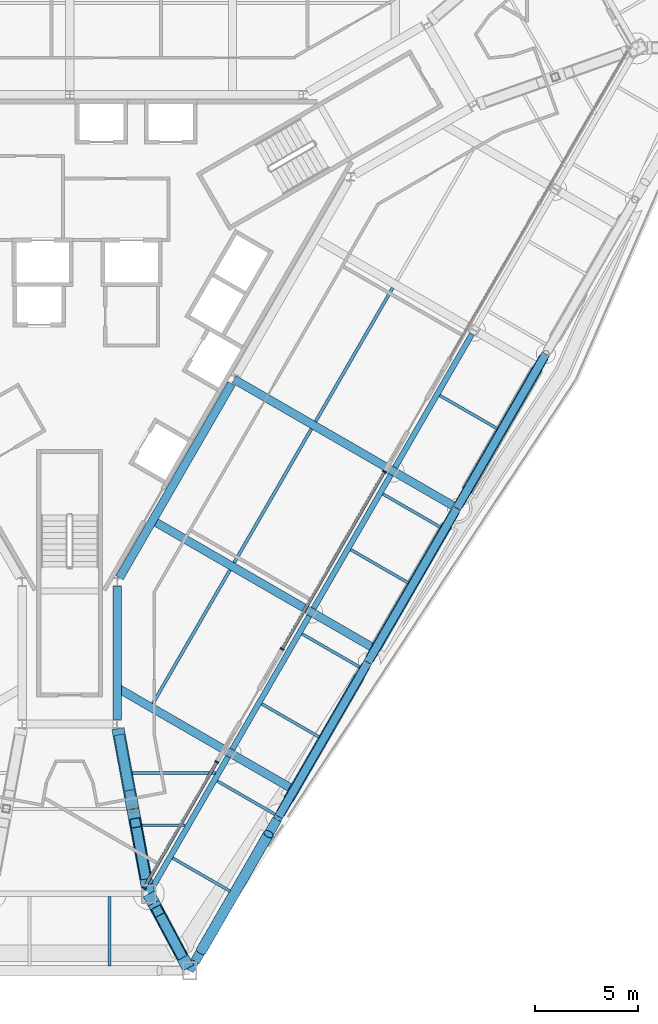
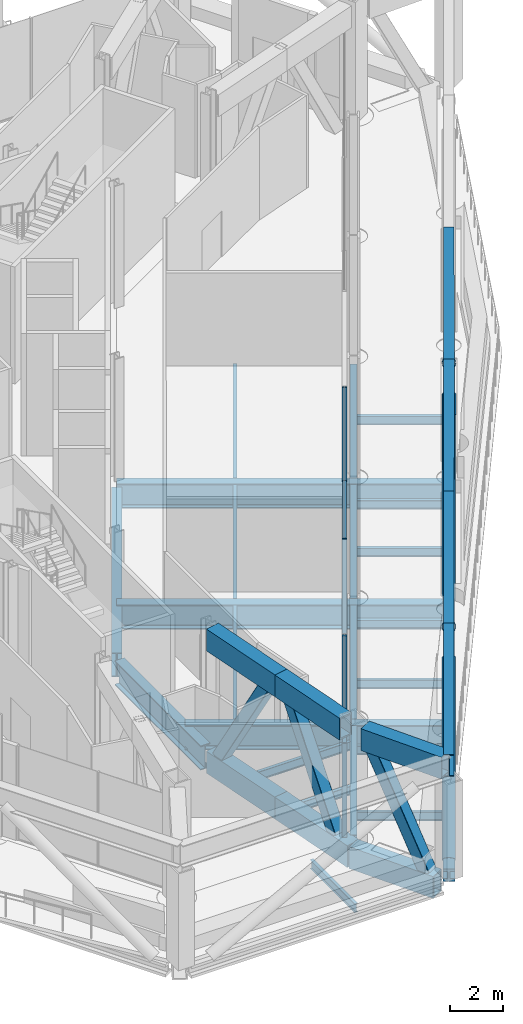
# One storey, part 8 of 26: 36 beams, 13 members, 2 elements without a shape of their own.
"""IFC4 building model written with IfcOpenShell, lengths in metres."""

from ifc_helpers import new_model, si_unit, direction, frame, origin, origin_2d, place, context, subcontext, project, spatial, rectangle, hollow_rectangle, hollow_circle, i_section, extrude, material, material_profile, profile_set, type_object, element, aggregate, save


model = new_model("IFC4")

# Units and contexts
model_context = context("Model", 3, precision=1e-05, world=origin(), true_north=direction((0.0, 1.0)))
body_context = subcontext(model_context, "Body", "Model", "MODEL_VIEW")
ifc_project = project(units=[si_unit("LENGTHUNIT", "METRE"), si_unit("AREAUNIT", "SQUARE_METRE"), si_unit("VOLUMEUNIT", "CUBIC_METRE"), si_unit("PLANEANGLEUNIT", "RADIAN"), si_unit("MASSUNIT", "GRAM", prefix="KILO")], contexts=[model_context])

# Site, building, storey
site_placement = place(None, origin())
site = spatial("IfcSite", under=ifc_project, at=site_placement, CompositionType="ELEMENT")
building_placement = place(site_placement, origin())
building = spatial("IfcBuilding", under=site, at=building_placement, Name="Verrane Prism Tower", CompositionType="ELEMENT")
storey_placement = place(building_placement, frame((0.0, 0.0, 87.199951171875)))
storey = spatial("IfcBuildingStorey", under=building, at=storey_placement, Name="L20", CompositionType="ELEMENT", Elevation=87.199951171875)

# Beams
ifc_material_1 = material(Name="Steel A992", Category="steel")
ifc_material_profile_1 = material_profile(ifc_material_1, i_section(OverallWidth=0.45458984375, OverallDepth=0.56884765625, WebThickness=0.077880859375, FlangeThickness=0.124755859375, FilletRadius=0.01513671875, at=origin_2d()), Name="W14x730")
ifc_profile_set_1 = profile_set([ifc_material_profile_1], Name="Steel A992")
beam_type_1 = type_object("IfcBeamType", Name="Belt truss chord W14x730", PredefinedType="BEAM", material=ifc_profile_set_1)
beam_1_placement = place(storey_placement, frame((6.07958984375, -32.81005859375, -0.445556640625), z_axis=(0.499769466734, 0.866158461322, 0.0), x_axis=(-0.866158461322, 0.499769466734, 0.0)))
element("IfcBeam", 1, at=beam_1_placement, inside=storey, type_object=beam_type_1, Name="Belt truss chord L20", PredefinedType="BEAM", context=body_context, shape_type="SweptSolid", body=[
    extrude(i_section(OverallWidth=0.45458984375, OverallDepth=0.56884765625, WebThickness=0.077880859375, FlangeThickness=0.124755859375, FilletRadius=0.01513671875, at=origin_2d()), origin(), (0.0, 0.0, 1.0), 7.942138671875),
])
beam_2_placement = place(storey_placement, frame((10.211181640625, -25.649169921875, -0.445556640625), z_axis=(0.500128352211, 0.865951286918, 0.0), x_axis=(-0.865951286918, 0.500128352211, 0.0)))
element("IfcBeam", 2, at=beam_2_placement, inside=storey, type_object=beam_type_1, Name="Belt truss chord L20", PredefinedType="BEAM", context=body_context, shape_type="SweptSolid", body=[
    extrude(i_section(OverallWidth=0.45458984375, OverallDepth=0.56884765625, WebThickness=0.077880859375, FlangeThickness=0.124755859375, FilletRadius=0.01513671875, at=origin_2d()), origin(), (0.0, 0.0, 1.0), 8.312744140625),
])
beam_3_placement = place(storey_placement, frame((14.531494140625, -18.169189453125, -0.445556640625), z_axis=(0.500628270496, 0.865662367658, 0.0), x_axis=(-0.865662367658, 0.500628270496, 0.0)))
element("IfcBeam", 3, at=beam_3_placement, inside=storey, type_object=beam_type_1, Name="Belt truss chord L20", PredefinedType="BEAM", context=body_context, shape_type="SweptSolid", body=[
    extrude(i_section(OverallWidth=0.45458984375, OverallDepth=0.56884765625, WebThickness=0.077880859375, FlangeThickness=0.124755859375, FilletRadius=0.01513671875, at=origin_2d()), origin(), (0.0, 0.0, 1.0), 8.303955078125),
])
beam_4_placement = place(storey_placement, frame((18.851318359375, -10.69921875, -0.445556640625), z_axis=(0.499237299608, 0.866465301486, 0.0), x_axis=(-0.866465301486, 0.499237299608, 0.0)))
element("IfcBeam", 4, at=beam_4_placement, inside=storey, type_object=beam_type_1, Name="Belt truss chord L20", PredefinedType="BEAM", context=body_context, shape_type="SweptSolid", body=[
    extrude(i_section(OverallWidth=0.45458984375, OverallDepth=0.56884765625, WebThickness=0.077880859375, FlangeThickness=0.124755859375, FilletRadius=0.01513671875, at=origin_2d()), origin(), (0.0, 0.0, 1.0), 8.3076171875),
])
ifc_material_2 = material(Name="Steel A992", Category="steel")
ifc_material_profile_2 = material_profile(ifc_material_2, i_section(OverallWidth=0.4013671875, OverallDepth=1.000732421875, WebThickness=0.01904296875, FlangeThickness=0.0361328125, FilletRadius=0.030029296875, at=origin_2d()), Name="W40x249")
ifc_profile_set_2 = profile_set([ifc_material_profile_2], Name="Steel A992")
beam_type_2 = type_object("IfcBeamType", Name="Belt truss chord W40x249", PredefinedType="BEAM", material=ifc_profile_set_2)
beam_5_placement = place(storey_placement, frame((5.820068359375, -33.260009765625, 4.939697265625), z_axis=(0.499741242346, 0.866174746052, 0.0), x_axis=(-0.866174746052, 0.499741242346, 0.0)))
element("IfcBeam", 5, at=beam_5_placement, inside=storey, type_object=beam_type_2, Name="Belt truss chord L20", PredefinedType="BEAM", context=body_context, shape_type="SweptSolid", body=[
    extrude(i_section(OverallWidth=0.4013671875, OverallDepth=1.000732421875, WebThickness=0.01904296875, FlangeThickness=0.0361328125, FilletRadius=0.030029296875, at=origin_2d()), origin(), (0.0, 0.0, 1.0), 8.6240234375),
])
beam_6_placement = place(storey_placement, frame((10.1298828125, -25.7900390625, 4.939697265625), z_axis=(0.500130201725, 0.865950218732, 0.0), x_axis=(-0.865950218732, 0.500130201725, 0.0)))
element("IfcBeam", 6, at=beam_6_placement, inside=storey, type_object=beam_type_2, Name="Belt truss chord L20", PredefinedType="BEAM", context=body_context, shape_type="SweptSolid", body=[
    extrude(i_section(OverallWidth=0.4013671875, OverallDepth=1.000732421875, WebThickness=0.01904296875, FlangeThickness=0.0361328125, FilletRadius=0.030029296875, at=origin_2d()), origin(), (0.0, 0.0, 1.0), 8.637939453125),
])
beam_7_placement = place(storey_placement, frame((14.449951171875, -18.31005859375, 4.939697265625), z_axis=(0.500632492922, 0.865659925739, 0.0), x_axis=(-0.865659925739, 0.500632492922, 0.0)))
element("IfcBeam", 7, at=beam_7_placement, inside=storey, type_object=beam_type_2, Name="Belt truss chord L20", PredefinedType="BEAM", context=body_context, shape_type="SweptSolid", body=[
    extrude(i_section(OverallWidth=0.4013671875, OverallDepth=1.000732421875, WebThickness=0.01904296875, FlangeThickness=0.0361328125, FilletRadius=0.030029296875, at=origin_2d()), origin(), (0.0, 0.0, 1.0), 8.629150390625),
])
beam_8_placement = place(storey_placement, frame((18.77001953125, -10.840087890625, 4.939697265625), z_axis=(0.499260481273, 0.866451944333, 0.0), x_axis=(-0.866451944333, 0.499260481273, 0.0)))
element("IfcBeam", 8, at=beam_8_placement, inside=storey, type_object=beam_type_2, Name="Belt truss chord L20", PredefinedType="BEAM", context=body_context, shape_type="SweptSolid", body=[
    extrude(i_section(OverallWidth=0.4013671875, OverallDepth=1.000732421875, WebThickness=0.01904296875, FlangeThickness=0.0361328125, FilletRadius=0.030029296875, at=origin_2d()), origin(), (0.0, 0.0, 1.0), 8.6328125),
])

# Members
ifc_material_3 = material(Name="Steel A500 Grade C", Category="steel")
ifc_material_profile_3 = material_profile(ifc_material_3, hollow_circle(Radius=0.25390625, WallThickness=0.0126953125, at=origin_2d()), Name="HSS20.000x0.500")
ifc_profile_set_3 = profile_set([ifc_material_profile_3], Name="Steel A500 Grade C")
member_type_1 = type_object("IfcMemberType", Name="Belt truss diagonal HSS20.000x0.500", PredefinedType="BRACE", material=ifc_profile_set_3)
member_1_placement = place(storey_placement, frame((6.37890625, -32.29150390625, -0.160888671875), z_axis=(0.405277647184, 0.70243475166, 0.585094392687), x_axis=(-0.866171265767, 0.499747274489, 0.0)))
element("IfcMember", 9, at=member_1_placement, inside=storey, type_object=member_type_1, Name="Belt truss diagonal L20", PredefinedType="BRACE", context=body_context, shape_type="SweptSolid", body=[
    extrude(hollow_circle(Radius=0.25390625, WallThickness=0.0126953125, at=origin_2d()), origin(), (0.0, 0.0, 1.0), 8.0498046875),
])
member_2_placement = place(storey_placement, frame((14.026611328125, -19.043212890625, -0.160888671875), z_axis=(-0.410981497335, -0.711574303838, 0.569873862329), x_axis=(0.865944304384, -0.500140441981, 0.0)))
element("IfcMember", 10, at=member_2_placement, inside=storey, type_object=member_type_1, Name="Belt truss diagonal L20", PredefinedType="BRACE", context=body_context, shape_type="SweptSolid", body=[
    extrude(hollow_circle(Radius=0.25390625, WallThickness=0.0126953125, at=origin_2d()), origin(), (0.0, 0.0, 1.0), 8.264892578125),
])
member_3_placement = place(storey_placement, frame((14.873779296875, -17.577392578125, -0.160888671875), z_axis=(0.41123483946, 0.711080643258, 0.570307132691), x_axis=(-0.865660263695, 0.50063190855, 0.0)))
element("IfcMember", 11, at=member_3_placement, inside=storey, type_object=member_type_1, Name="Belt truss diagonal L20", PredefinedType="BRACE", context=body_context, shape_type="SweptSolid", body=[
    extrude(hollow_circle(Radius=0.25390625, WallThickness=0.0126953125, at=origin_2d()), origin(), (0.0, 0.0, 1.0), 8.258544921875),
])
member_4_placement = place(storey_placement, frame((22.657470703125, -4.093505859375, -0.160888671875), z_axis=(-0.41018811742, -0.711830056506, 0.570126020264), x_axis=(0.866439987411, -0.499281231588, 0.0)))
element("IfcMember", 12, at=member_4_placement, inside=storey, type_object=member_type_1, Name="Belt truss diagonal L20", PredefinedType="BRACE", context=body_context, shape_type="SweptSolid", body=[
    extrude(hollow_circle(Radius=0.25390625, WallThickness=0.0126953125, at=origin_2d()), origin(), (0.0, 0.0, 1.0), 8.26123046875),
])

# Beams
ifc_material_4 = material(Name="Steel A992", Category="steel")
ifc_material_profile_4 = material_profile(ifc_material_4, i_section(OverallWidth=0.140380859375, OverallDepth=0.40380859375, WebThickness=0.007080078125, FlangeThickness=0.01123046875, FilletRadius=0.01025390625, at=origin_2d()), Name="W16x31")
ifc_profile_set_4 = profile_set([ifc_material_profile_4], Name="Steel A992")
beam_type_3 = type_object("IfcBeamType", Name="Floor beam W16x31", PredefinedType="BEAM", material=ifc_profile_set_4)
beam_9_placement = place(storey_placement, frame((20.728515625, -6.985595703125, -0.36181640625), z_axis=(-0.866024054344, 0.500002337291, 0.0), x_axis=(-0.500002337291, -0.866024054344, 0.0)))
element("IfcBeam", 13, at=beam_9_placement, inside=storey, type_object=beam_type_3, Name="Floor beam L20", PredefinedType="BEAM", context=body_context, shape_type="SweptSolid", body=[
    extrude(i_section(OverallWidth=0.140380859375, OverallDepth=0.40380859375, WebThickness=0.007080078125, FlangeThickness=0.01123046875, FilletRadius=0.01025390625, at=origin_2d()), origin(), (0.0, 0.0, 1.0), 3.2216796875),
])
beam_10_placement = place(storey_placement, frame((17.97314453125, -11.763427734375, -0.36181640625), z_axis=(-0.866053139749, 0.499951956822, 0.0), x_axis=(-0.499951956822, -0.866053139749, 0.0)))
element("IfcBeam", 14, at=beam_10_placement, inside=storey, type_object=beam_type_3, Name="Floor beam L20", PredefinedType="BEAM", context=body_context, shape_type="SweptSolid", body=[
    extrude(i_section(OverallWidth=0.140380859375, OverallDepth=0.40380859375, WebThickness=0.007080078125, FlangeThickness=0.01123046875, FilletRadius=0.01025390625, at=origin_2d()), origin(), (0.0, 0.0, 1.0), 3.222900390625),
])
beam_11_placement = place(storey_placement, frame((16.413330078125, -14.46044921875, -0.36181640625), z_axis=(-0.86603284879, 0.49998710465, 0.0), x_axis=(-0.49998710465, -0.86603284879, 0.0)))
element("IfcBeam", 15, at=beam_11_placement, inside=storey, type_object=beam_type_3, Name="Floor beam L20", PredefinedType="BEAM", context=body_context, shape_type="SweptSolid", body=[
    extrude(i_section(OverallWidth=0.140380859375, OverallDepth=0.40380859375, WebThickness=0.007080078125, FlangeThickness=0.01123046875, FilletRadius=0.01025390625, at=origin_2d()), origin(), (0.0, 0.0, 1.0), 3.220703125),
])
beam_12_placement = place(storey_placement, frame((14.052978515625, -18.54248046875, -0.36181640625), z_axis=(-0.866021328928, 0.500007057792, 0.0), x_axis=(-0.500007057792, -0.866021328928, 0.0)))
element("IfcBeam", 16, at=beam_12_placement, inside=storey, type_object=beam_type_3, Name="Floor beam L20", PredefinedType="BEAM", context=body_context, shape_type="SweptSolid", body=[
    extrude(i_section(OverallWidth=0.140380859375, OverallDepth=0.40380859375, WebThickness=0.007080078125, FlangeThickness=0.01123046875, FilletRadius=0.01025390625, at=origin_2d()), origin(), (0.0, 0.0, 1.0), 3.2177734375),
])
beam_13_placement = place(storey_placement, frame((12.0947265625, -21.933349609375, -0.36181640625), z_axis=(-0.866019963708, 0.500009422371, 0.0), x_axis=(-0.500009422371, -0.866019963708, 0.0)))
element("IfcBeam", 17, at=beam_13_placement, inside=storey, type_object=beam_type_3, Name="Floor beam L20", PredefinedType="BEAM", context=body_context, shape_type="SweptSolid", body=[
    extrude(i_section(OverallWidth=0.140380859375, OverallDepth=0.40380859375, WebThickness=0.007080078125, FlangeThickness=0.01123046875, FilletRadius=0.01025390625, at=origin_2d()), origin(), (0.0, 0.0, 1.0), 3.2158203125),
])
beam_14_placement = place(storey_placement, frame((9.959716796875, -25.683837890625, -0.36181640625), z_axis=(-0.866028841934, 0.499994044904, 0.0), x_axis=(-0.499994044904, -0.866028841934, 0.0)))
element("IfcBeam", 18, at=beam_14_placement, inside=storey, type_object=beam_type_3, Name="Floor beam L20", PredefinedType="BEAM", context=body_context, shape_type="SweptSolid", body=[
    extrude(i_section(OverallWidth=0.140380859375, OverallDepth=0.40380859375, WebThickness=0.007080078125, FlangeThickness=0.01123046875, FilletRadius=0.01025390625, at=origin_2d()), origin(), (0.0, 0.0, 1.0), 3.2421875),
])
beam_15_placement = place(storey_placement, frame((7.77978515625, -29.408203125, -0.36181640625), z_axis=(-0.866055526205, 0.499947822806, 0.0), x_axis=(-0.499947822806, -0.866055526205, 0.0)))
element("IfcBeam", 19, at=beam_15_placement, inside=storey, type_object=beam_type_3, Name="Floor beam L20", PredefinedType="BEAM", context=body_context, shape_type="SweptSolid", body=[
    extrude(i_section(OverallWidth=0.140380859375, OverallDepth=0.40380859375, WebThickness=0.007080078125, FlangeThickness=0.01123046875, FilletRadius=0.01025390625, at=origin_2d()), origin(), (0.0, 0.0, 1.0), 3.219482421875),
])
beam_16_placement = place(storey_placement, frame((3.516845703125, -26.2099609375, -0.36181640625), z_axis=(1.0, 0.0, 0.0), x_axis=(0.0, 1.0, 0.0)))
element("IfcBeam", 20, at=beam_16_placement, inside=storey, type_object=beam_type_3, Name="Floor beam L20", PredefinedType="BEAM", context=body_context, shape_type="SweptSolid", body=[
    extrude(i_section(OverallWidth=0.140380859375, OverallDepth=0.40380859375, WebThickness=0.007080078125, FlangeThickness=0.01123046875, FilletRadius=0.01025390625, at=origin_2d()), origin(), (0.0, 0.0, 1.0), 2.084716796875),
])
beam_17_placement = place(storey_placement, frame((3.047119140625, -23.679931640625, -0.36181640625), z_axis=(1.0, 0.0, 0.0), x_axis=(0.0, 1.0, 0.0)))
element("IfcBeam", 21, at=beam_17_placement, inside=storey, type_object=beam_type_3, Name="Floor beam L20", PredefinedType="BEAM", context=body_context, shape_type="SweptSolid", body=[
    extrude(i_section(OverallWidth=0.140380859375, OverallDepth=0.40380859375, WebThickness=0.007080078125, FlangeThickness=0.01123046875, FilletRadius=0.01025390625, at=origin_2d()), origin(), (0.0, 0.0, 1.0), 4.017578125),
])
beam_18_placement = place(storey_placement, frame((1.93994140625, -33.032470703125, -0.36181640625), z_axis=(0.0, 1.0, 0.0), x_axis=(-1.0, 0.0, 0.0)))
element("IfcBeam", 22, at=beam_18_placement, inside=storey, type_object=beam_type_3, Name="Floor beam L20", PredefinedType="BEAM", context=body_context, shape_type="SweptSolid", body=[
    extrude(i_section(OverallWidth=0.140380859375, OverallDepth=0.40380859375, WebThickness=0.007080078125, FlangeThickness=0.01123046875, FilletRadius=0.01025390625, at=origin_2d()), origin(), (0.0, 0.0, 1.0), 3.35888671875),
])
ifc_material_5 = material(Name="Steel A992", Category="steel")
ifc_material_profile_5 = material_profile(ifc_material_5, i_section(OverallWidth=0.15234375, OverallDepth=0.449462890625, WebThickness=0.007568359375, FlangeThickness=0.0107421875, FilletRadius=0.01025390625, at=origin_2d()), Name="W18x35")
ifc_profile_set_5 = profile_set([ifc_material_profile_5], Name="Steel A992")
beam_type_4 = type_object("IfcBeamType", Name="Floor beam W18x35", PredefinedType="BEAM", material=ifc_profile_set_5)
beam_19_placement = place(storey_placement, frame((4.02978515625, -20.314208984375, -0.384765625), z_axis=(0.500010604671, 0.866019281088, 0.0), x_axis=(-0.866019281088, 0.500010604671, 0.0)))
element("IfcBeam", 23, at=beam_19_placement, inside=storey, type_object=beam_type_4, Name="Floor beam L20", PredefinedType="BEAM", context=body_context, shape_type="SweptSolid", body=[
    extrude(i_section(OverallWidth=0.15234375, OverallDepth=0.449462890625, WebThickness=0.007568359375, FlangeThickness=0.0107421875, FilletRadius=0.01025390625, at=origin_2d()), origin(), (0.0, 0.0, 1.0), 7.480712890625),
])
beam_20_placement = place(storey_placement, frame((7.97119140625, -13.4853515625, -0.384765625), z_axis=(0.500013821409, 0.866017423843, 0.0), x_axis=(-0.866017423843, 0.500013821409, 0.0)))
element("IfcBeam", 24, at=beam_20_placement, inside=storey, type_object=beam_type_4, Name="Floor beam L20", PredefinedType="BEAM", context=body_context, shape_type="SweptSolid", body=[
    extrude(i_section(OverallWidth=0.15234375, OverallDepth=0.449462890625, WebThickness=0.007568359375, FlangeThickness=0.0107421875, FilletRadius=0.01025390625, at=origin_2d()), origin(), (0.0, 0.0, 1.0), 7.494873046875),
])
beam_21_placement = place(storey_placement, frame((11.91748046875, -6.64306640625, -0.384765625), z_axis=(0.500004786058, 0.866022640535, 0.0), x_axis=(-0.866022640535, 0.500004786058, 0.0)))
element("IfcBeam", 25, at=beam_21_placement, inside=storey, type_object=beam_type_4, Name="Floor beam L20", PredefinedType="BEAM", context=body_context, shape_type="SweptSolid", body=[
    extrude(i_section(OverallWidth=0.15234375, OverallDepth=0.449462890625, WebThickness=0.007568359375, FlangeThickness=0.0107421875, FilletRadius=0.01025390625, at=origin_2d()), origin(), (0.0, 0.0, 1.0), 7.4853515625),
])

# Curtain wall, members
ifc_material_6 = material(Name="Aluminium framed insulated glazing", Category="aluminium")
curtain_wall_type = type_object("IfcCurtainWallType", Name="Curtain wall CW-A 8400 module", PredefinedType="NOTDEFINED", material=ifc_material_6)
curtain_wall_1_placement = place(storey_placement, origin())
curtain_wall_1 = element("IfcCurtainWall", 26, at=curtain_wall_1_placement, inside=storey, type_object=curtain_wall_type, Name="Refuge lounge glazing south-east face L20 1", PredefinedType="NOTDEFINED")
ifc_material_7 = material(Name="Aluminium alloy 6063-T6", Category="aluminium")
ifc_material_profile_6 = material_profile(ifc_material_7, rectangle(XDim=0.199951171875, YDim=0.070068359375, at=origin_2d()), Name="Mullion 70x200 aluminium")
ifc_profile_set_6 = profile_set([ifc_material_profile_6], Name="Aluminium alloy 6063-T6")
member_type_2 = type_object("IfcMemberType", Name="Mullion 70x200 aluminium", PredefinedType="MULLION", material=ifc_profile_set_6)
member_5_placement = place(storey_placement, frame((3.61279296875, -29.244384765625, 0.0), z_axis=(0.0, 0.0, 1.0), x_axis=(-0.86602209093, 0.500005737989, 0.0)))
member_5 = element("IfcMember", 27, at=member_5_placement, type_object=member_type_2, Name="CW20.6.1 mullion 1", PredefinedType="MULLION", context=body_context, shape_type="SweptSolid", body=[
    extrude(rectangle(XDim=0.199951171875, YDim=0.070068359375, at=origin_2d()), origin(), (0.0, 0.0, 1.0), 4.322509765625),
])
member_6_placement = place(storey_placement, frame((7.132568359375, -23.148193359375, 0.0), z_axis=(0.0, 0.0, 1.0), x_axis=(-0.86602209093, 0.500005737989, 0.0)))
member_6 = element("IfcMember", 28, at=member_6_placement, type_object=member_type_2, Name="CW20.6.1 mullion 2", PredefinedType="MULLION", context=body_context, shape_type="SweptSolid", body=[
    extrude(rectangle(XDim=0.199951171875, YDim=0.070068359375, at=origin_2d()), origin(), (0.0, 0.0, 1.0), 4.322509765625),
])

curtain_wall_2_placement = place(storey_placement, origin())
curtain_wall_2 = element("IfcCurtainWall", 29, at=curtain_wall_2_placement, inside=storey, type_object=curtain_wall_type, Name="Refuge lounge glazing south-east face L20 2", PredefinedType="NOTDEFINED")
member_7_placement = place(storey_placement, frame((10.297607421875, -17.666015625, 0.0), z_axis=(0.0, 0.0, 1.0), x_axis=(-0.866023450117, 0.500003383835, 0.0)))
member_7 = element("IfcMember", 30, at=member_7_placement, type_object=member_type_2, Name="CW20.6.2 mullion 1", PredefinedType="MULLION", context=body_context, shape_type="SweptSolid", body=[
    extrude(rectangle(XDim=0.199951171875, YDim=0.070068359375, at=origin_2d()), origin(), (0.0, 0.0, 1.0), 4.322509765625),
])
member_8_placement = place(storey_placement, frame((15.25439453125, -9.080810546875, 0.0), z_axis=(0.0, 0.0, 1.0), x_axis=(-0.866023450117, 0.500003383835, 0.0)))
member_8 = element("IfcMember", 31, at=member_8_placement, type_object=member_type_2, Name="CW20.6.2 mullion 2", PredefinedType="MULLION", context=body_context, shape_type="SweptSolid", body=[
    extrude(rectangle(XDim=0.199951171875, YDim=0.070068359375, at=origin_2d()), origin(), (0.0, 0.0, 1.0), 4.322509765625),
])

# Beams
ifc_material_8 = material(Name="Steel A572 Grade 50", Category="steel")
ifc_material_profile_7 = material_profile(ifc_material_8, hollow_rectangle(XDim=0.60009765625, YDim=1.0, WallThickness=0.06005859375, at=origin_2d()), Name="BOX 1000x600x60")
ifc_profile_set_7 = profile_set([ifc_material_profile_7], Name="Steel A572 Grade 50")
beam_type_5 = type_object("IfcBeamType", Name="Outrigger truss chord BOX 1000x600x60", PredefinedType="BEAM", material=ifc_profile_set_7)
beam_22_placement = place(storey_placement, frame((5.579345703125, -32.81005859375, -0.659912109375), z_axis=(-0.471691533573, 0.881763628846, 0.0), x_axis=(-0.881763628846, -0.471691533573, 0.0)))
element("IfcBeam", 32, at=beam_22_placement, inside=storey, type_object=beam_type_5, Name="Outrigger truss chord L20", PredefinedType="BEAM", context=body_context, shape_type="SweptSolid", body=[
    extrude(hollow_rectangle(XDim=0.60009765625, YDim=1.0, WallThickness=0.06005859375, at=origin_2d()), origin(), (0.0, 0.0, 1.0), 3.70849609375),
])
beam_23_placement = place(storey_placement, frame((3.830078125, -29.5400390625, -0.659912109375), z_axis=(-0.182585757578, 0.983189931361, 0.0), x_axis=(-0.983189931361, -0.182585757578, 0.0)))
element("IfcBeam", 33, at=beam_23_placement, inside=storey, type_object=beam_type_5, Name="Outrigger truss chord L20", PredefinedType="BEAM", context=body_context, shape_type="SweptSolid", body=[
    extrude(hollow_rectangle(XDim=0.60009765625, YDim=1.0, WallThickness=0.06005859375, at=origin_2d()), origin(), (0.0, 0.0, 1.0), 4.190673828125),
])
beam_24_placement = place(storey_placement, frame((3.06494140625, -25.419921875, -0.659912109375), z_axis=(-0.182530880443, 0.983200120873, 0.0), x_axis=(-0.983200120873, -0.182530880443, 0.0)))
element("IfcBeam", 34, at=beam_24_placement, inside=storey, type_object=beam_type_5, Name="Outrigger truss chord L20", PredefinedType="BEAM", context=body_context, shape_type="SweptSolid", body=[
    extrude(hollow_rectangle(XDim=0.60009765625, YDim=1.0, WallThickness=0.06005859375, at=origin_2d()), origin(), (0.0, 0.0, 1.0), 3.958984375),
])
beam_25_placement = place(storey_placement, frame((5.749267578125, -33.127685546875, 4.93994140625), z_axis=(-0.471688227938, 0.881765397158, 0.0), x_axis=(-0.881765397158, -0.471688227938, 0.0)))
element("IfcBeam", 35, at=beam_25_placement, inside=storey, type_object=beam_type_5, Name="Outrigger truss chord L20", PredefinedType="BEAM", context=body_context, shape_type="SweptSolid", body=[
    extrude(hollow_rectangle(XDim=0.60009765625, YDim=1.0, WallThickness=0.06005859375, at=origin_2d()), origin(), (0.0, 0.0, 1.0), 3.558349609375),
])
beam_26_placement = place(storey_placement, frame((3.746337890625, -29.090087890625, 4.93994140625), z_axis=(-0.182538906317, 0.983198630837, 0.0), x_axis=(-0.983198630837, -0.182538906317, 0.0)))
element("IfcBeam", 36, at=beam_26_placement, inside=storey, type_object=beam_type_5, Name="Outrigger truss chord L20", PredefinedType="BEAM", context=body_context, shape_type="SweptSolid", body=[
    extrude(hollow_rectangle(XDim=0.60009765625, YDim=1.0, WallThickness=0.06005859375, at=origin_2d()), origin(), (0.0, 0.0, 1.0), 3.73291015625),
])
beam_27_placement = place(storey_placement, frame((3.06494140625, -25.419921875, 4.93994140625), z_axis=(-0.182530880443, 0.983200120873, 0.0), x_axis=(-0.983200120873, -0.182530880443, 0.0)))
element("IfcBeam", 37, at=beam_27_placement, inside=storey, type_object=beam_type_5, Name="Outrigger truss chord L20", PredefinedType="BEAM", context=body_context, shape_type="SweptSolid", body=[
    extrude(hollow_rectangle(XDim=0.60009765625, YDim=1.0, WallThickness=0.06005859375, at=origin_2d()), origin(), (0.0, 0.0, 1.0), 3.958984375),
])

# Members
ifc_material_9 = material(Name="Steel A500 Grade C", Category="steel")
ifc_material_profile_8 = material_profile(ifc_material_9, hollow_rectangle(XDim=0.508056640625, YDim=0.508056640625, WallThickness=0.01904296875, InnerFilletRadius=0.009521484375, OuterFilletRadius=0.028564453125, at=origin_2d()), Name="HSS20x20x3/4")
ifc_profile_set_8 = profile_set([ifc_material_profile_8], Name="Steel A500 Grade C")
member_type_3 = type_object("IfcMemberType", Name="Outrigger truss diagonal HSS20x20x3/4", PredefinedType="BRACE", material=ifc_profile_set_8)
member_9_placement = place(storey_placement, frame((5.375732421875, -32.4296875, -0.219970703125), z_axis=(-0.209177761826, 0.391049295434, 0.896284057929), x_axis=(-0.881773519747, -0.471673043402, 0.0)))
element("IfcMember", 38, at=member_9_placement, inside=storey, type_object=member_type_3, Name="Outrigger truss diagonal L20", PredefinedType="BRACE", context=body_context, shape_type="SweptSolid", body=[
    extrude(hollow_rectangle(XDim=0.508056640625, YDim=0.508056640625, WallThickness=0.01904296875, InnerFilletRadius=0.009521484375, OuterFilletRadius=0.028564453125, at=origin_2d()), origin(), (0.0, 0.0, 1.0), 5.26611328125),
])
member_10_placement = place(storey_placement, frame((3.654541015625, -28.59521484375, -0.219970703125), z_axis=(-0.086536460532, 0.466021612715, 0.880531258662), x_axis=(-0.983192678778, -0.182570962635, 0.0)))
element("IfcMember", 39, at=member_10_placement, inside=storey, type_object=member_type_3, Name="Outrigger truss diagonal L20", PredefinedType="BRACE", context=body_context, shape_type="SweptSolid", body=[
    extrude(hollow_rectangle(XDim=0.508056640625, YDim=0.508056640625, WallThickness=0.01904296875, InnerFilletRadius=0.009521484375, OuterFilletRadius=0.028564453125, at=origin_2d()), origin(), (0.0, 0.0, 1.0), 5.3603515625),
])
member_11_placement = place(storey_placement, frame((2.43798828125, -22.04296875, -0.219970703125), z_axis=(0.091353828883, -0.492056799885, 0.865756653821), x_axis=(0.983198831668, 0.182537824591, 0.0)))
element("IfcMember", 40, at=member_11_placement, inside=storey, type_object=member_type_3, Name="Outrigger truss diagonal L20", PredefinedType="BRACE", context=body_context, shape_type="SweptSolid", body=[
    extrude(hollow_rectangle(XDim=0.508056640625, YDim=0.508056640625, WallThickness=0.01904296875, InnerFilletRadius=0.009521484375, OuterFilletRadius=0.028564453125, at=origin_2d()), origin(), (0.0, 0.0, 1.0), 5.451904296875),
])

# Beams
ifc_material_10 = material(Name="Steel A992", Category="steel")
ifc_material_profile_9 = material_profile(ifc_material_10, i_section(OverallWidth=0.2666015625, OverallDepth=0.7568359375, WebThickness=0.013916015625, FlangeThickness=0.019287109375, FilletRadius=0.0166015625, at=origin_2d()), Name="W30x108")
ifc_profile_set_9 = profile_set([ifc_material_profile_9], Name="Steel A992")
beam_type_6 = type_object("IfcBeamType", Name="Spandrel beam W30x108", PredefinedType="SPANDREL", material=ifc_profile_set_9)
beam_28_placement = place(storey_placement, frame((4.090087890625, -29.090087890625, -0.538330078125), z_axis=(0.50064633236, 0.865651921903, 0.0), x_axis=(-0.865651921903, 0.50064633236, 0.0)))
element("IfcBeam", 41, at=beam_28_placement, inside=storey, type_object=beam_type_6, Name="Spandrel beam L20", PredefinedType="SPANDREL", context=body_context, shape_type="SweptSolid", body=[
    extrude(i_section(OverallWidth=0.2666015625, OverallDepth=0.7568359375, WebThickness=0.013916015625, FlangeThickness=0.019287109375, FilletRadius=0.0166015625, at=origin_2d()), origin(), (0.0, 0.0, 1.0), 7.158203125),
])
beam_29_placement = place(storey_placement, frame((7.885986328125, -22.5263671875, -0.538330078125), z_axis=(0.499679960224, 0.866210100005, 0.0), x_axis=(-0.866210100005, 0.499679960224, 0.0)))
element("IfcBeam", 42, at=beam_29_placement, inside=storey, type_object=beam_type_6, Name="Spandrel beam L20", PredefinedType="SPANDREL", context=body_context, shape_type="SweptSolid", body=[
    extrude(i_section(OverallWidth=0.2666015625, OverallDepth=0.7568359375, WebThickness=0.013916015625, FlangeThickness=0.019287109375, FilletRadius=0.0166015625, at=origin_2d()), origin(), (0.0, 0.0, 1.0), 7.4609375),
])
beam_30_placement = place(storey_placement, frame((11.826171875, -15.6962890625, -0.538330078125), z_axis=(0.500080587159, 0.865978871767, 0.0), x_axis=(-0.865978871767, 0.500080587159, 0.0)))
element("IfcBeam", 43, at=beam_30_placement, inside=storey, type_object=beam_type_6, Name="Spandrel beam L20", PredefinedType="SPANDREL", context=body_context, shape_type="SweptSolid", body=[
    extrude(i_section(OverallWidth=0.2666015625, OverallDepth=0.7568359375, WebThickness=0.013916015625, FlangeThickness=0.019287109375, FilletRadius=0.0166015625, at=origin_2d()), origin(), (0.0, 0.0, 1.0), 7.474365234375),
])
beam_31_placement = place(storey_placement, frame((15.77587890625, -8.856201171875, -0.538330078125), z_axis=(0.499694123976, 0.866201929381, 0.0), x_axis=(-0.866201929381, 0.499694123976, 0.0)))
element("IfcBeam", 44, at=beam_31_placement, inside=storey, type_object=beam_type_6, Name="Spandrel beam L20", PredefinedType="SPANDREL", context=body_context, shape_type="SweptSolid", body=[
    extrude(i_section(OverallWidth=0.2666015625, OverallDepth=0.7568359375, WebThickness=0.013916015625, FlangeThickness=0.019287109375, FilletRadius=0.0166015625, at=origin_2d()), origin(), (0.0, 0.0, 1.0), 7.460693359375),
])
ifc_material_11 = material(Name="Steel A992", Category="steel")
ifc_material_profile_10 = material_profile(ifc_material_11, i_section(OverallWidth=0.40380859375, OverallDepth=1.11767578125, WebThickness=0.026123046875, FlangeThickness=0.044921875, FilletRadius=0.02001953125, at=origin_2d()), Name="W44x335")
ifc_profile_set_10 = profile_set([ifc_material_profile_10], Name="Steel A992")
beam_type_7 = type_object("IfcBeamType", Name="Transfer girder W44x335", PredefinedType="BEAM", material=ifc_profile_set_10)
beam_32_placement = place(storey_placement, frame((2.300048828125, -21.07275390625, -0.808837890625), z_axis=(0.0, 1.0, 0.0), x_axis=(-1.0, 0.0, 0.0)))
element("IfcBeam", 45, at=beam_32_placement, inside=storey, type_object=beam_type_7, Name="Transfer girder L20", PredefinedType="BEAM", context=body_context, shape_type="SweptSolid", body=[
    extrude(i_section(OverallWidth=0.40380859375, OverallDepth=1.11767578125, WebThickness=0.026123046875, FlangeThickness=0.044921875, FilletRadius=0.02001953125, at=origin_2d()), origin(), (0.0, 0.0, 1.0), 6.4443359375),
])
beam_33_placement = place(storey_placement, frame((2.42041015625, -14.211669921875, -0.808837890625), z_axis=(0.500013103396, 0.866017838403, 0.0), x_axis=(-0.866017838403, 0.500013103396, 0.0)))
element("IfcBeam", 46, at=beam_33_placement, inside=storey, type_object=beam_type_7, Name="Transfer girder L20", PredefinedType="BEAM", context=body_context, shape_type="SweptSolid", body=[
    extrude(i_section(OverallWidth=0.40380859375, OverallDepth=1.11767578125, WebThickness=0.026123046875, FlangeThickness=0.044921875, FilletRadius=0.02001953125, at=origin_2d()), origin(), (0.0, 0.0, 1.0), 10.858154296875),
])
beam_34_placement = place(storey_placement, frame((10.68115234375, -24.385009765625, -0.71875), z_axis=(-0.866023845964, 0.500002698215, 0.0), x_axis=(-0.500002698215, -0.866023845964, 0.0)))
element("IfcBeam", 47, at=beam_34_placement, inside=storey, type_object=beam_type_7, Name="Transfer girder L20", PredefinedType="BEAM", context=body_context, shape_type="SweptSolid", body=[
    extrude(i_section(OverallWidth=0.40380859375, OverallDepth=1.11767578125, WebThickness=0.026123046875, FlangeThickness=0.044921875, FilletRadius=0.02001953125, at=origin_2d()), origin(), (0.0, 0.0, 1.0), 9.677734375),
])
for number, where, z_axis, x_axis, name in (
    (48, (14.62353515625, -17.556396484375, -0.71875), (-0.866021505988, 0.50000675112, 0.0), (-0.50000675112, -0.866021505988, 0.0), "Transfer girder L20"),
    (49, (18.572998046875, -10.716064453125, -0.71875), (-0.866021505988, 0.50000675112, 0.0), (-0.50000675112, -0.866021505988, 0.0), "Transfer girder L20"),
):
    element("IfcBeam", number, at=place(storey_placement, frame(where, z_axis=z_axis, x_axis=x_axis)), inside=storey, type_object=beam_type_7, Name=name, PredefinedType="BEAM", context=body_context, shape_type="SweptSolid", body=[
        extrude(i_section(OverallWidth=0.40380859375, OverallDepth=1.11767578125, WebThickness=0.026123046875, FlangeThickness=0.044921875, FilletRadius=0.02001953125, at=origin_2d()), origin(), (0.0, 0.0, 1.0), 12.240478515625),
    ])

# Member
ifc_material_12 = material(Name="Aluminium alloy 6063-T6", Category="aluminium")
ifc_material_profile_11 = material_profile(ifc_material_12, rectangle(XDim=0.14990234375, YDim=0.070068359375, at=origin_2d()), Name="Transom 70x150 aluminium")
ifc_profile_set_11 = profile_set([ifc_material_profile_11], Name="Aluminium alloy 6063-T6")
member_type_4 = type_object("IfcMemberType", Name="Transom 70x150 aluminium", PredefinedType="USERDEFINED", material=ifc_profile_set_11)
member_12_placement = place(storey_placement, frame((3.63037109375, -29.214111328125, 0.03515625), z_axis=(0.499993343583, 0.866029246834, 0.0), x_axis=(-0.866029246834, 0.499993343583, 0.0)))
member_12 = element("IfcMember", 50, at=member_12_placement, type_object=member_type_4, Name="CW20.6.1 transom 1", ObjectType="TRANSOM", PredefinedType="USERDEFINED", context=body_context, shape_type="SweptSolid", body=[
    extrude(rectangle(XDim=0.14990234375, YDim=0.070068359375, at=origin_2d()), origin(), (0.0, 0.0, 1.0), 6.96923828125),
])

aggregate(curtain_wall_1, [member_5, member_6, member_12])

member_13_placement = place(storey_placement, frame((10.315185546875, -17.6357421875, 0.03515625), z_axis=(0.500004427354, 0.866022847635, 0.0), x_axis=(-0.866022847635, 0.500004427354, 0.0)))
member_13 = element("IfcMember", 51, at=member_13_placement, type_object=member_type_4, Name="CW20.6.2 transom 1", ObjectType="TRANSOM", PredefinedType="USERDEFINED", context=body_context, shape_type="SweptSolid", body=[
    extrude(rectangle(XDim=0.14990234375, YDim=0.070068359375, at=origin_2d()), origin(), (0.0, 0.0, 1.0), 9.84326171875),
])

aggregate(curtain_wall_2, [member_7, member_8, member_13])

save(model, "model.ifc")
